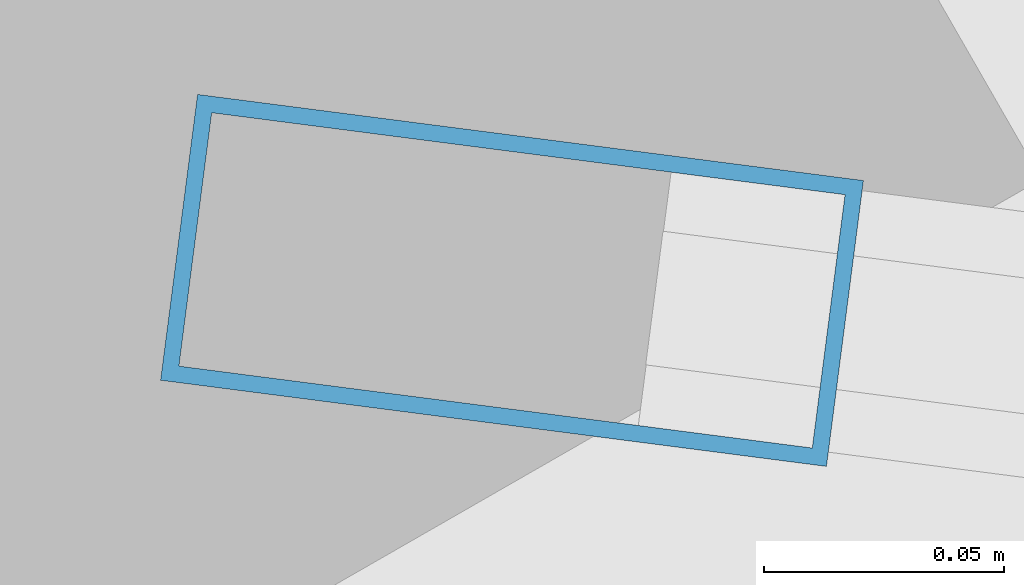
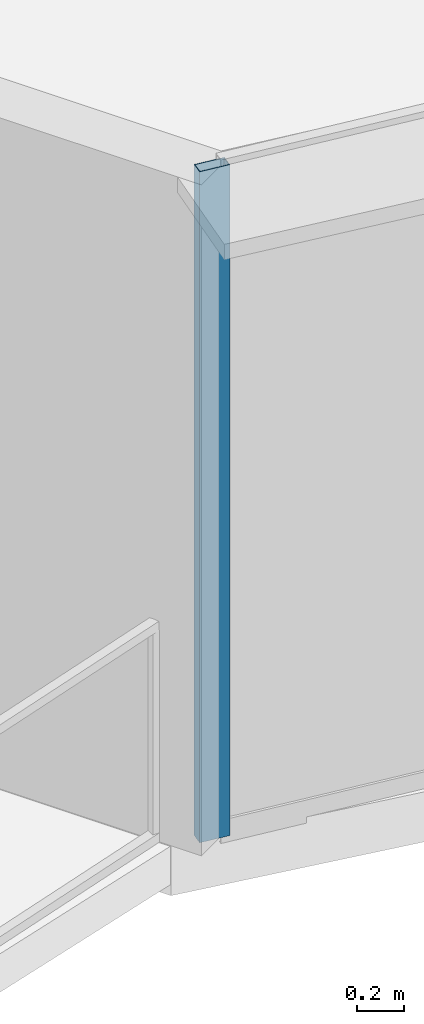
# One storey, part 2 of 33: 1 member, 1 element without a shape of its own.
"""IFC4 building model written with IfcOpenShell, lengths in metres."""

from ifc_helpers import new_model, si_unit, direction, frame, origin, origin_2d, place, context, subcontext, project, spatial, hollow_rectangle, extrude, source, transform, mapped, material, layer, layer_set, material_profile, profile_set, type_object, element, aggregate, save


model = new_model("IFC4")

# Units and contexts
model_context = context("Model", 3, precision=1e-05, world=origin(), true_north=direction((0.0, 1.0)))
body_context = subcontext(model_context, "Body", "Model", "MODEL_VIEW")
ifc_project = project(units=[si_unit("LENGTHUNIT", "METRE"), si_unit("AREAUNIT", "SQUARE_METRE"), si_unit("VOLUMEUNIT", "CUBIC_METRE"), si_unit("PLANEANGLEUNIT", "RADIAN"), si_unit("MASSUNIT", "GRAM", prefix="KILO"), si_unit("THERMODYNAMICTEMPERATUREUNIT", "KELVIN"), si_unit("POWERUNIT", "WATT")], contexts=[model_context])

# Site, building, storey
site_placement = place(None, origin())
site = spatial("IfcSite", under=ifc_project, at=site_placement, CompositionType="ELEMENT")
building_placement = place(site_placement, origin())
building = spatial("IfcBuilding", under=site, at=building_placement, Name="Yunzhuo Pagoda Commons", CompositionType="ELEMENT")
storey_placement = place(building_placement, frame((0.0, 0.0, 325.510009765625)))
storey = spatial("IfcBuildingStorey", under=building, at=storey_placement, Name="L81", CompositionType="ELEMENT", Elevation=325.510009765625)

# Curtain wall, member
ifc_material = material(Name="Anodized aluminium 6063-T6", Category="aluminium")
ifc_layer = layer(ifc_material, 0.139892578125)
ifc_layer_set = layer_set([ifc_layer], Name="Anodized aluminium 6063-T6")
curtain_wall_type = type_object("IfcCurtainWallType", Name="CW-HI High-Zone Ribbon Curtain Wall", PredefinedType="NOTDEFINED", material=ifc_layer_set)
curtain_wall_placement = place(storey_placement, origin())
curtain_wall = element("IfcCurtainWall", 1, at=curtain_wall_placement, inside=storey, type_object=curtain_wall_type, Name="L81 curtain wall CW-L81-F1B1", PredefinedType="NOTDEFINED")
ifc_material_profile = material_profile(ifc_material, hollow_rectangle(XDim=0.06005859375, YDim=0.139892578125, WallThickness=0.00341796875, at=origin_2d()), Name="Anodized aluminium 6063-T6")
ifc_profile_set = profile_set([ifc_material_profile], Name="Anodized aluminium 6063-T6")
member_type = type_object("IfcMemberType", Name="CW-HI-M Mullion RHS 140x60x3.5", PredefinedType="MULLION", material=ifc_profile_set)
shared_shape = source(origin(), body_context, "Body", "SweptSolid", [
    extrude(hollow_rectangle(XDim=0.06005859375, YDim=0.139892578125, WallThickness=0.00341796875, at=origin_2d()), origin(), (0.0, 0.0, 1.0), 3.489990234375),
])
member_placement = place(storey_placement, frame((22.2900390625, 23.134765625, 0.0), z_axis=(0.0, 0.0, 1.0), x_axis=(0.128276018031, 0.991738505453, 0.0)))
member = element("IfcMember", 2, at=member_placement, type_object=member_type, Name="CW mullion 1", PredefinedType="MULLION", context=body_context, shape_type="MappedRepresentation", body=[
    mapped(shared_shape, transform((0.0, 0.0, 0.0), scale=1.0)),
])
aggregate(curtain_wall, [member])

save(model, "model.ifc")
